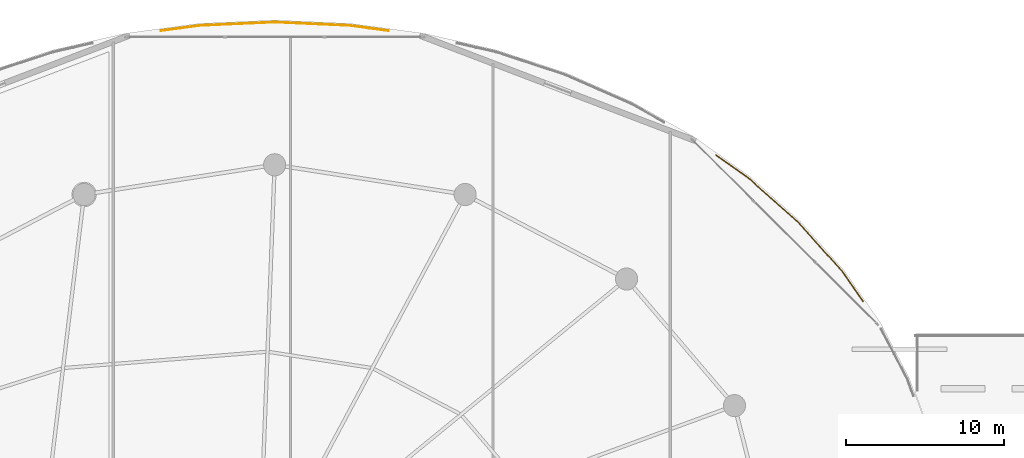
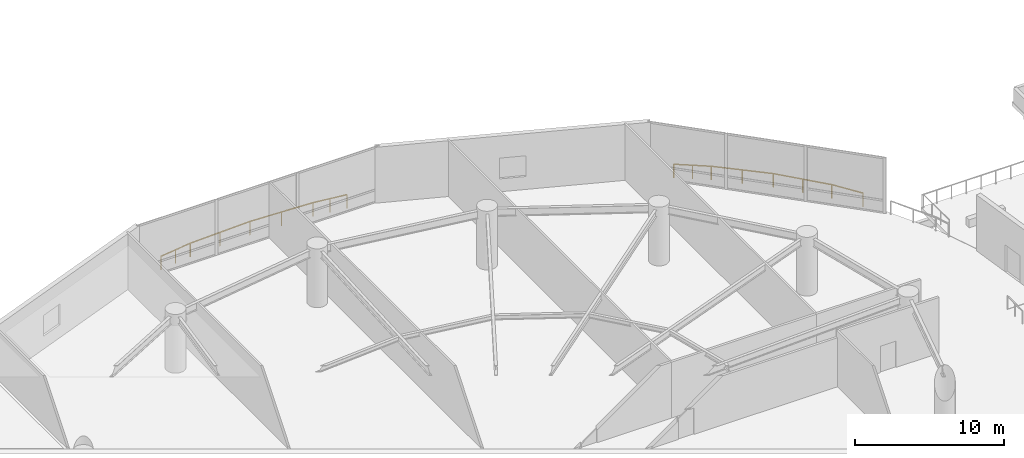
# One storey, part 26 of 26: 2 railings.
"""IFC4 building model written with IfcOpenShell, lengths in metres."""

from ifc_helpers import new_model, si_unit, direction, frame, origin, origin_2d, place, context, subcontext, project, spatial, rectangle, extrude, material, type_object, element, save


model = new_model("IFC4")

# Units and contexts
model_context = context("Model", 3, precision=1e-05, world=origin(), true_north=direction((0.0, 1.0)))
body_context = subcontext(model_context, "Body", "Model", "MODEL_VIEW")
ifc_project = project(units=[si_unit("LENGTHUNIT", "METRE"), si_unit("AREAUNIT", "SQUARE_METRE"), si_unit("VOLUMEUNIT", "CUBIC_METRE"), si_unit("PLANEANGLEUNIT", "RADIAN"), si_unit("MASSUNIT", "GRAM", prefix="KILO")], contexts=[model_context])

# Site, building, storey
site_placement = place(None, origin())
site = spatial("IfcSite", under=ifc_project, at=site_placement, CompositionType="ELEMENT")
building_placement = place(site_placement, origin())
building = spatial("IfcBuilding", under=site, at=building_placement, Name="Kazevale Care Tower and Concert Hall", CompositionType="ELEMENT")
storey_placement = place(building_placement, frame((0.0, 0.0, 19.199951171875)))
storey = spatial("IfcBuildingStorey", under=building, at=storey_placement, Name="L04", CompositionType="ELEMENT", Elevation=19.199951171875)

# Railings
ifc_material = material(Name="Anodised Bronze Aluminium and Laminated Glass", Category="aluminium")
railing_type = type_object("IfcRailingType", Name="Balcony and Terrace Balustrade 1120", PredefinedType="BALUSTRADE", material=ifc_material)
railing_1_placement = place(storey_placement, frame((37.81201171875, 71.117919921875, 0.0)))
element("IfcRailing", 1, at=railing_1_placement, inside=storey, type_object=railing_type, Name="rail:L04:perim:7", PredefinedType="BALUSTRADE", context=body_context, shape_type="SweptSolid", body=[
    extrude(rectangle(XDim=0.048095703125, YDim=0.048095703125, at=origin_2d()), frame((0.0, 0.0, 1.09619140625), z_axis=(0.990987454457, 0.1339547129, 0.0), x_axis=(-0.1339547129, 0.990987454457, 0.0)), (0.0, 0.0, 1.0), 2.464111328125),
    extrude(rectangle(XDim=0.048095703125, YDim=0.048095703125, at=origin_2d()), frame((2.44189453125, 0.330078125, 1.09619140625), z_axis=(0.999004667567, 0.044605763963, 0.0), x_axis=(-0.044605763963, 0.999004667567, 0.0)), (0.0, 0.0, 1.0), 4.750732421875),
    extrude(rectangle(XDim=0.048095703125, YDim=0.048095703125, at=origin_2d()), frame((7.18798828125, 0.5419921875, 1.09619140625), z_axis=(0.999004667567, -0.044605763963, 0.0), x_axis=(0.044605763963, 0.999004667567, 0.0)), (0.0, 0.0, 1.0), 4.750732421875),
    extrude(rectangle(XDim=0.048095703125, YDim=0.048095703125, at=origin_2d()), frame((11.93408203125, 0.330078125, 1.09619140625), z_axis=(0.990987454457, -0.1339547129, 0.0), x_axis=(0.1339547129, 0.990987454457, 0.0)), (0.0, 0.0, 1.0), 2.464111328125),
    extrude(rectangle(XDim=0.0419921875, YDim=0.0419921875, at=origin_2d()), origin(), (0.0, 0.0, 1.0), 1.072021484375),
    extrude(rectangle(XDim=0.0419921875, YDim=0.0419921875, at=origin_2d()), frame((1.220947265625, 0.1650390625, 0.0)), (0.0, 0.0, 1.0), 1.072021484375),
    extrude(rectangle(XDim=0.0419921875, YDim=0.0419921875, at=origin_2d()), frame((2.44189453125, 0.330078125, 0.0)), (0.0, 0.0, 1.0), 1.072021484375),
    extrude(rectangle(XDim=0.0419921875, YDim=0.0419921875, at=origin_2d()), frame((4.81494140625, 0.43603515625, 0.0)), (0.0, 0.0, 1.0), 1.072021484375),
    extrude(rectangle(XDim=0.0419921875, YDim=0.0419921875, at=origin_2d()), frame((7.18798828125, 0.5419921875, 0.0)), (0.0, 0.0, 1.0), 1.072021484375),
    extrude(rectangle(XDim=0.0419921875, YDim=0.0419921875, at=origin_2d()), frame((9.56103515625, 0.43603515625, 0.0)), (0.0, 0.0, 1.0), 1.072021484375),
    extrude(rectangle(XDim=0.0419921875, YDim=0.0419921875, at=origin_2d()), frame((11.93408203125, 0.330078125, 0.0)), (0.0, 0.0, 1.0), 1.072021484375),
    extrude(rectangle(XDim=0.0419921875, YDim=0.0419921875, at=origin_2d()), frame((13.155029296875, 0.1650390625, 0.0)), (0.0, 0.0, 1.0), 1.072021484375),
    extrude(rectangle(XDim=0.0419921875, YDim=0.0419921875, at=origin_2d()), frame((14.3759765625, 0.0, 0.0)), (0.0, 0.0, 1.0), 1.072021484375),
])
railing_2_placement = place(storey_placement, frame((72.89892578125, 63.259033203125, 0.0)))
element("IfcRailing", 2, at=railing_2_placement, inside=storey, type_object=railing_type, Name="rail:L04:perim:12", PredefinedType="BALUSTRADE", context=body_context, shape_type="SweptSolid", body=[
    extrude(rectangle(XDim=0.048095703125, YDim=0.048095703125, at=origin_2d()), frame((0.0, 0.0, 1.09619140625), z_axis=(0.815188786096, -0.579195340989, 0.0), x_axis=(0.579195340989, 0.815188786096, 0.0)), (0.0, 0.0, 1.0), 2.53466796875),
    extrude(rectangle(XDim=0.048095703125, YDim=0.048095703125, at=origin_2d()), frame((2.066162109375, -1.468017578125, 1.09619140625), z_axis=(0.746983011463, -0.664843124794, 0.0), x_axis=(0.664843124794, 0.746983011463, 0.0)), (0.0, 0.0, 1.0), 4.2353515625),
    extrude(rectangle(XDim=0.048095703125, YDim=0.048095703125, at=origin_2d()), frame((5.22998046875, -4.283935546875, 1.09619140625), z_axis=(0.665728837253, -0.746193751816, 0.0), x_axis=(0.746193751816, 0.665728837253, 0.0)), (0.0, 0.0, 1.0), 4.12646484375),
    extrude(rectangle(XDim=0.048095703125, YDim=0.048095703125, at=origin_2d()), frame((7.97705078125, -7.363037109375, 1.09619140625), z_axis=(0.570672394322, -0.821177823835, 0.0), x_axis=(0.821177823835, 0.570672394322, 0.0)), (0.0, 0.0, 1.0), 2.299072265625),
    extrude(rectangle(XDim=0.0419921875, YDim=0.0419921875, at=origin_2d()), origin(), (0.0, 0.0, 1.0), 1.072021484375),
    extrude(rectangle(XDim=0.0419921875, YDim=0.0419921875, at=origin_2d()), frame((1.033203125, -0.73388671875, 0.0)), (0.0, 0.0, 1.0), 1.072021484375),
    extrude(rectangle(XDim=0.0419921875, YDim=0.0419921875, at=origin_2d()), frame((2.066162109375, -1.468017578125, 0.0)), (0.0, 0.0, 1.0), 1.072021484375),
    extrude(rectangle(XDim=0.0419921875, YDim=0.0419921875, at=origin_2d()), frame((3.64794921875, -2.8759765625, 0.0)), (0.0, 0.0, 1.0), 1.072021484375),
    extrude(rectangle(XDim=0.0419921875, YDim=0.0419921875, at=origin_2d()), frame((5.22998046875, -4.283935546875, 0.0)), (0.0, 0.0, 1.0), 1.072021484375),
    extrude(rectangle(XDim=0.0419921875, YDim=0.0419921875, at=origin_2d()), frame((6.603515625, -5.823486328125, 0.0)), (0.0, 0.0, 1.0), 1.072021484375),
    extrude(rectangle(XDim=0.0419921875, YDim=0.0419921875, at=origin_2d()), frame((7.97705078125, -7.363037109375, 0.0)), (0.0, 0.0, 1.0), 1.072021484375),
    extrude(rectangle(XDim=0.0419921875, YDim=0.0419921875, at=origin_2d()), frame((9.2890625, -9.2509765625, 0.0)), (0.0, 0.0, 1.0), 1.072021484375),
])

save(model, "model.ifc")
